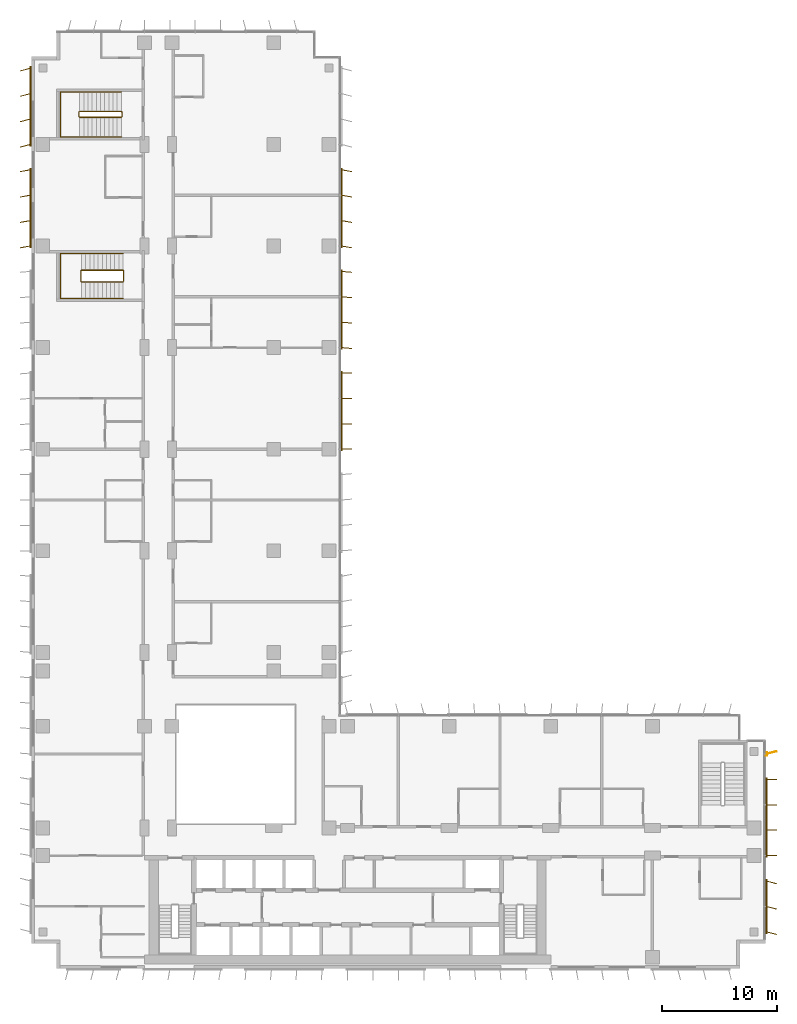
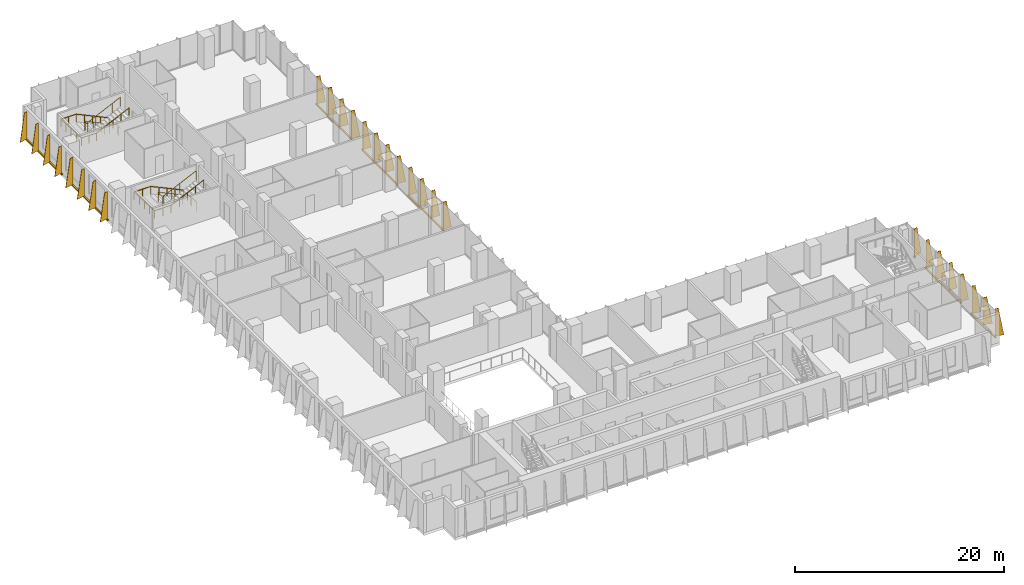
# One storey, part 21 of 22: 8 shading devices, 4 railings.
"""IFC4 building model written with IfcOpenShell, lengths in metres."""

from ifc_helpers import new_model, si_unit, direction, frame, origin, origin_2d, place, context, subcontext, project, spatial, polyline, rectangle, circle, outline, extrude, source, transform, mapped, material, layer, layer_set, type_object, element, save


model = new_model("IFC4")

# Units and contexts
model_context = context("Model", 3, precision=1e-05, world=origin(), true_north=direction((0.0, 1.0)))
body_context = subcontext(model_context, "Body", "Model", "MODEL_VIEW")
ifc_project = project(units=[si_unit("LENGTHUNIT", "METRE"), si_unit("AREAUNIT", "SQUARE_METRE"), si_unit("VOLUMEUNIT", "CUBIC_METRE"), si_unit("PLANEANGLEUNIT", "RADIAN"), si_unit("MASSUNIT", "GRAM", prefix="KILO")], contexts=[model_context])

# Site, building, storey
site_placement = place(None, origin())
site = spatial("IfcSite", under=ifc_project, at=site_placement, CompositionType="ELEMENT")
building_placement = place(site_placement, origin())
building = spatial("IfcBuilding", under=site, at=building_placement, Name="Kemantara Hotel Tower", CompositionType="ELEMENT")
storey_placement = place(building_placement, frame((0.0, 0.0, 122.199951171875)))
storey = spatial("IfcBuildingStorey", under=building, at=storey_placement, Name="L29", CompositionType="ELEMENT", Elevation=122.199951171875)

# Railings
ifc_material_1 = material(Name="Stainless steel balustrade", Category="steel")
railing_type_1 = type_object("IfcRailingType", Name="Stair guard 1100 mm", PredefinedType="GUARDRAIL", material=ifc_material_1)
railing_1_placement = place(storey_placement, frame((7.949951171875, 59.5, 3.699951171875)))
element("IfcRailing", 1, at=railing_1_placement, inside=storey, type_object=railing_type_1, Name="L29 ST4 stair guard 1", PredefinedType="GUARDRAIL", context=body_context, shape_type="SweptSolid", body=[
    extrude(circle(Radius=0.02392578125, at=origin_2d()), frame((0.0, 0.0, 1.076171875), z_axis=(-0.906018243939, 0.0, -0.423238634402), x_axis=(0.0, -1.0, 0.0)), (0.0, 0.0, 1.0), 3.973388671875),
    extrude(circle(Radius=0.02392578125, at=origin_2d()), frame((-3.599853515625, 0.0, -0.60546875), z_axis=(-0.274243871929, 0.274243871929, -0.92172696468), x_axis=(-0.707106781187, -0.707106781187, 0.0)), (0.0, 0.0, 1.0), 0.1826171875),
    extrude(circle(Radius=0.02392578125, at=origin_2d()), frame((-3.64990234375, 0.050048828125, -0.77392578125), z_axis=(0.0, 1.0, 0.0), x_axis=(-1.0, 0.0, 0.0)), (0.0, 0.0, 1.0), 0.89990234375),
    extrude(circle(Radius=0.02392578125, at=origin_2d()), frame((-3.64990234375, 0.949951171875, -0.77392578125), z_axis=(0.707106781187, 0.707106781187, 0.0), x_axis=(-0.707106781187, 0.707106781187, 0.0)), (0.0, 0.0, 1.0), 0.07080078125),
    extrude(circle(Radius=0.02392578125, at=origin_2d()), frame((-3.599853515625, 1.0, -0.77392578125), z_axis=(0.905994681025, 0.0, -0.423289071386), x_axis=(0.0, 1.0, 0.0)), (0.0, 0.0, 1.0), 3.973388671875),
    extrude(circle(Radius=0.02392578125, at=origin_2d()), frame((0.0, 1.0, -2.45556640625), z_axis=(0.274243871929, -0.274243871929, -0.92172696468), x_axis=(0.707106781187, 0.707106781187, 0.0)), (0.0, 0.0, 1.0), 0.1826171875),
    extrude(circle(Radius=0.02392578125, at=origin_2d()), frame((0.050048828125, 0.949951171875, -2.6240234375), z_axis=(0.0, -1.0, 0.0), x_axis=(1.0, 0.0, 0.0)), (0.0, 0.0, 1.0), 0.89990234375),
    extrude(circle(Radius=0.02099609375, at=origin_2d()), origin(), (0.0, 0.0, 1.0), 1.052001953125),
    extrude(circle(Radius=0.02099609375, at=origin_2d()), frame((-0.89990234375, 0.0, -0.42041015625)), (0.0, 0.0, 1.0), 1.052001953125),
    extrude(circle(Radius=0.02099609375, at=origin_2d()), frame((-1.7998046875, 0.0, -0.8408203125)), (0.0, 0.0, 1.0), 1.052001953125),
    extrude(circle(Radius=0.02099609375, at=origin_2d()), frame((-2.699951171875, 0.0, -1.26123046875)), (0.0, 0.0, 1.0), 1.052001953125),
    extrude(circle(Radius=0.02099609375, at=origin_2d()), frame((-3.599853515625, 0.0, -1.681640625)), (0.0, 0.0, 1.0), 1.052001953125),
    extrude(circle(Radius=0.02099609375, at=origin_2d()), frame((-3.64990234375, 0.050048828125, -1.849853515625)), (0.0, 0.0, 1.0), 1.052001953125),
    extrude(circle(Radius=0.02099609375, at=origin_2d()), frame((-3.64990234375, 0.949951171875, -1.849853515625)), (0.0, 0.0, 1.0), 1.052001953125),
    extrude(circle(Radius=0.02099609375, at=origin_2d()), frame((-3.599853515625, 1.0, -1.849853515625)), (0.0, 0.0, 1.0), 1.052001953125),
    extrude(circle(Radius=0.02099609375, at=origin_2d()), frame((-2.699951171875, 1.0, -2.270263671875)), (0.0, 0.0, 1.0), 1.052001953125),
    extrude(circle(Radius=0.02099609375, at=origin_2d()), frame((-1.7998046875, 1.0, -2.69091796875)), (0.0, 0.0, 1.0), 1.052001953125),
    extrude(circle(Radius=0.02099609375, at=origin_2d()), frame((-0.89990234375, 1.0, -3.111328125)), (0.0, 0.0, 1.0), 1.052001953125),
    extrude(circle(Radius=0.02099609375, at=origin_2d()), frame((0.0, 1.0, -3.53173828125)), (0.0, 0.0, 1.0), 1.052001953125),
    extrude(circle(Radius=0.02099609375, at=origin_2d()), frame((0.050048828125, 0.949951171875, -3.699951171875)), (0.0, 0.0, 1.0), 1.052001953125),
    extrude(circle(Radius=0.02099609375, at=origin_2d()), frame((0.050048828125, 0.050048828125, -3.699951171875)), (0.0, 0.0, 1.0), 1.052001953125),
])
railing_2_placement = place(storey_placement, frame((7.800048828125, 73.75, 3.699951171875)))
element("IfcRailing", 2, at=railing_2_placement, inside=storey, type_object=railing_type_1, Name="L29 ST6 stair guard 1", PredefinedType="GUARDRAIL", context=body_context, shape_type="SweptSolid", body=[
    extrude(circle(Radius=0.02392578125, at=origin_2d()), frame((0.0, 0.0, 1.076171875), z_axis=(-0.906029249863, 0.0, -0.423215073447), x_axis=(0.0, -1.0, 0.0)), (0.0, 0.0, 1.0), 3.973388671875),
    extrude(circle(Radius=0.02392578125, at=origin_2d()), frame((-3.60009765625, 0.0, -0.60546875), z_axis=(-0.274243871929, 0.274243871929, -0.92172696468), x_axis=(-0.707106781187, -0.707106781187, 0.0)), (0.0, 0.0, 1.0), 0.1826171875),
    extrude(circle(Radius=0.02392578125, at=origin_2d()), frame((-3.650146484375, 0.050048828125, -0.77392578125), z_axis=(0.0, 1.0, 0.0), x_axis=(-1.0, 0.0, 0.0)), (0.0, 0.0, 1.0), 0.39990234375),
    extrude(circle(Radius=0.02392578125, at=origin_2d()), frame((-3.650146484375, 0.449951171875, -0.77392578125), z_axis=(0.707106781187, 0.707106781187, 0.0), x_axis=(-0.707106781187, 0.707106781187, 0.0)), (0.0, 0.0, 1.0), 0.07080078125),
    extrude(circle(Radius=0.02392578125, at=origin_2d()), frame((-3.60009765625, 0.5, -0.77392578125), z_axis=(0.906005689286, 0.0, -0.423265508849), x_axis=(0.0, 1.0, 0.0)), (0.0, 0.0, 1.0), 3.9736328125),
    extrude(circle(Radius=0.02392578125, at=origin_2d()), frame((0.0, 0.5, -2.45556640625), z_axis=(0.274243871929, -0.274243871929, -0.92172696468), x_axis=(0.707106781187, 0.707106781187, 0.0)), (0.0, 0.0, 1.0), 0.1826171875),
    extrude(circle(Radius=0.02392578125, at=origin_2d()), frame((0.050048828125, 0.449951171875, -2.6240234375), z_axis=(0.0, -1.0, 0.0), x_axis=(1.0, 0.0, 0.0)), (0.0, 0.0, 1.0), 0.39990234375),
    extrude(circle(Radius=0.02099609375, at=origin_2d()), origin(), (0.0, 0.0, 1.0), 1.052001953125),
    extrude(circle(Radius=0.02099609375, at=origin_2d()), frame((-0.89990234375, 0.0, -0.42041015625)), (0.0, 0.0, 1.0), 1.052001953125),
    extrude(circle(Radius=0.02099609375, at=origin_2d()), frame((-1.800048828125, 0.0, -0.8408203125)), (0.0, 0.0, 1.0), 1.052001953125),
    extrude(circle(Radius=0.02099609375, at=origin_2d()), frame((-2.7001953125, 0.0, -1.26123046875)), (0.0, 0.0, 1.0), 1.052001953125),
    extrude(circle(Radius=0.02099609375, at=origin_2d()), frame((-3.60009765625, 0.0, -1.681640625)), (0.0, 0.0, 1.0), 1.052001953125),
    extrude(circle(Radius=0.02099609375, at=origin_2d()), frame((-3.650146484375, 0.050048828125, -1.849853515625)), (0.0, 0.0, 1.0), 1.052001953125),
    extrude(circle(Radius=0.02099609375, at=origin_2d()), frame((-3.650146484375, 0.449951171875, -1.849853515625)), (0.0, 0.0, 1.0), 1.052001953125),
    extrude(circle(Radius=0.02099609375, at=origin_2d()), frame((-3.60009765625, 0.5, -1.849853515625)), (0.0, 0.0, 1.0), 1.052001953125),
    extrude(circle(Radius=0.02099609375, at=origin_2d()), frame((-2.7001953125, 0.5, -2.270263671875)), (0.0, 0.0, 1.0), 1.052001953125),
    extrude(circle(Radius=0.02099609375, at=origin_2d()), frame((-1.800048828125, 0.5, -2.69091796875)), (0.0, 0.0, 1.0), 1.052001953125),
    extrude(circle(Radius=0.02099609375, at=origin_2d()), frame((-0.89990234375, 0.5, -3.111328125)), (0.0, 0.0, 1.0), 1.052001953125),
    extrude(circle(Radius=0.02099609375, at=origin_2d()), frame((0.0, 0.5, -3.53173828125)), (0.0, 0.0, 1.0), 1.052001953125),
    extrude(circle(Radius=0.02099609375, at=origin_2d()), frame((0.050048828125, 0.449951171875, -3.699951171875)), (0.0, 0.0, 1.0), 1.052001953125),
    extrude(circle(Radius=0.02099609375, at=origin_2d()), frame((0.050048828125, 0.050048828125, -3.699951171875)), (0.0, 0.0, 1.0), 1.052001953125),
])
railing_type_2 = type_object("IfcRailingType", Name="Stair handrail 900 mm", PredefinedType="HANDRAIL", material=ifc_material_1)
railing_3_placement = place(storey_placement, frame((7.949951171875, 61.949951171875, 0.168212890625)))
element("IfcRailing", 3, at=railing_3_placement, inside=storey, type_object=railing_type_2, Name="L29 ST4 stair handrail 1", PredefinedType="HANDRAIL", context=body_context, shape_type="SweptSolid", body=[
    extrude(circle(Radius=0.02392578125, at=origin_2d()), frame((0.0, 0.0, 0.8759765625), z_axis=(-0.905994681025, 0.0, 0.423289071386), x_axis=(0.0, -1.0, 0.0)), (0.0, 0.0, 1.0), 3.973388671875),
    extrude(circle(Radius=0.02392578125, at=origin_2d()), frame((-3.599853515625, 0.0, 2.5576171875), z_axis=(-1.0, 0.0, 0.0), x_axis=(0.0, -1.0, 0.0)), (0.0, 0.0, 1.0), 1.830078125),
    extrude(circle(Radius=0.02392578125, at=origin_2d()), frame((-5.429931640625, 0.0, 2.5576171875), z_axis=(0.0, -0.999071085748, 0.043092523981), x_axis=(1.0, 0.0, 0.0)), (0.0, 0.0, 1.0), 3.903564453125),
    extrude(circle(Radius=0.02392578125, at=origin_2d()), frame((-5.429931640625, -3.89990234375, 2.72607421875), z_axis=(1.0, 0.0, 0.0), x_axis=(0.0, 1.0, 0.0)), (0.0, 0.0, 1.0), 1.830078125),
    extrude(circle(Radius=0.02392578125, at=origin_2d()), frame((-3.599853515625, -3.89990234375, 2.72607421875), z_axis=(0.906018243939, 0.0, 0.423238634402), x_axis=(0.0, 1.0, 0.0)), (0.0, 0.0, 1.0), 3.973388671875),
    extrude(circle(Radius=0.02099609375, at=origin_2d()), origin(), (0.0, 0.0, 1.0), 0.851806640625),
    extrude(circle(Radius=0.02099609375, at=origin_2d()), frame((-0.89990234375, 0.0, 0.42041015625)), (0.0, 0.0, 1.0), 0.851806640625),
    extrude(circle(Radius=0.02099609375, at=origin_2d()), frame((-1.7998046875, 0.0, 0.8408203125)), (0.0, 0.0, 1.0), 0.851806640625),
    extrude(circle(Radius=0.02099609375, at=origin_2d()), frame((-2.699951171875, 0.0, 1.261474609375)), (0.0, 0.0, 1.0), 0.851806640625),
    extrude(circle(Radius=0.02099609375, at=origin_2d()), frame((-3.599853515625, 0.0, 1.681884765625)), (0.0, 0.0, 1.0), 0.851806640625),
    extrude(circle(Radius=0.02099609375, at=origin_2d()), frame((-4.514892578125, 0.0, 1.681884765625)), (0.0, 0.0, 1.0), 0.851806640625),
    extrude(circle(Radius=0.02099609375, at=origin_2d()), frame((-5.429931640625, 0.0, 1.681884765625)), (0.0, 0.0, 1.0), 0.851806640625),
    extrude(circle(Radius=0.02099609375, at=origin_2d()), frame((-5.429931640625, -0.97509765625, 1.723876953125)), (0.0, 0.0, 1.0), 0.851806640625),
    extrude(circle(Radius=0.02099609375, at=origin_2d()), frame((-5.429931640625, -1.949951171875, 1.76611328125)), (0.0, 0.0, 1.0), 0.851806640625),
    extrude(circle(Radius=0.02099609375, at=origin_2d()), frame((-5.429931640625, -2.9248046875, 1.80810546875)), (0.0, 0.0, 1.0), 0.851806640625),
    extrude(circle(Radius=0.02099609375, at=origin_2d()), frame((-5.429931640625, -3.89990234375, 1.85009765625)), (0.0, 0.0, 1.0), 0.851806640625),
    extrude(circle(Radius=0.02099609375, at=origin_2d()), frame((-4.514892578125, -3.89990234375, 1.85009765625)), (0.0, 0.0, 1.0), 0.851806640625),
    extrude(circle(Radius=0.02099609375, at=origin_2d()), frame((-3.599853515625, -3.89990234375, 1.85009765625)), (0.0, 0.0, 1.0), 0.851806640625),
    extrude(circle(Radius=0.02099609375, at=origin_2d()), frame((-2.699951171875, -3.89990234375, 2.2705078125)), (0.0, 0.0, 1.0), 0.851806640625),
    extrude(circle(Radius=0.02099609375, at=origin_2d()), frame((-1.7998046875, -3.89990234375, 2.69091796875)), (0.0, 0.0, 1.0), 0.851806640625),
    extrude(circle(Radius=0.02099609375, at=origin_2d()), frame((-0.89990234375, -3.89990234375, 3.111328125)), (0.0, 0.0, 1.0), 0.851806640625),
    extrude(circle(Radius=0.02099609375, at=origin_2d()), frame((0.0, -3.89990234375, 3.53173828125)), (0.0, 0.0, 1.0), 0.851806640625),
])
railing_4_placement = place(storey_placement, frame((7.800048828125, 75.949951171875, 0.168212890625)))
element("IfcRailing", 4, at=railing_4_placement, inside=storey, type_object=railing_type_2, Name="L29 ST6 stair handrail 1", PredefinedType="HANDRAIL", context=body_context, shape_type="SweptSolid", body=[
    extrude(circle(Radius=0.02392578125, at=origin_2d()), frame((0.0, 0.0, 0.8759765625), z_axis=(-0.906005689286, 0.0, 0.423265508849), x_axis=(0.0, -1.0, 0.0)), (0.0, 0.0, 1.0), 3.9736328125),
    extrude(circle(Radius=0.02392578125, at=origin_2d()), frame((-3.60009765625, 0.0, 2.5576171875), z_axis=(-1.0, 0.0, 0.0), x_axis=(0.0, -1.0, 0.0)), (0.0, 0.0, 1.0), 1.679931640625),
    extrude(circle(Radius=0.02392578125, at=origin_2d()), frame((-5.280029296875, 0.0, 2.5576171875), z_axis=(0.0, -0.999071085748, 0.043092523981), x_axis=(1.0, 0.0, 0.0)), (0.0, 0.0, 1.0), 3.903564453125),
    extrude(circle(Radius=0.02392578125, at=origin_2d()), frame((-5.280029296875, -3.89990234375, 2.72607421875), z_axis=(1.0, 0.0, 0.0), x_axis=(0.0, 1.0, 0.0)), (0.0, 0.0, 1.0), 1.679931640625),
    extrude(circle(Radius=0.02392578125, at=origin_2d()), frame((-3.60009765625, -3.89990234375, 2.72607421875), z_axis=(0.906029249863, 0.0, 0.423215073447), x_axis=(0.0, 1.0, 0.0)), (0.0, 0.0, 1.0), 3.973388671875),
    extrude(circle(Radius=0.02099609375, at=origin_2d()), origin(), (0.0, 0.0, 1.0), 0.851806640625),
    extrude(circle(Radius=0.02099609375, at=origin_2d()), frame((-0.89990234375, 0.0, 0.42041015625)), (0.0, 0.0, 1.0), 0.851806640625),
    extrude(circle(Radius=0.02099609375, at=origin_2d()), frame((-1.800048828125, 0.0, 0.8408203125)), (0.0, 0.0, 1.0), 0.851806640625),
    extrude(circle(Radius=0.02099609375, at=origin_2d()), frame((-2.7001953125, 0.0, 1.261474609375)), (0.0, 0.0, 1.0), 0.851806640625),
    extrude(circle(Radius=0.02099609375, at=origin_2d()), frame((-3.60009765625, 0.0, 1.681884765625)), (0.0, 0.0, 1.0), 0.851806640625),
    extrude(circle(Radius=0.02099609375, at=origin_2d()), frame((-4.43994140625, 0.0, 1.681884765625)), (0.0, 0.0, 1.0), 0.851806640625),
    extrude(circle(Radius=0.02099609375, at=origin_2d()), frame((-5.280029296875, 0.0, 1.681884765625)), (0.0, 0.0, 1.0), 0.851806640625),
    extrude(circle(Radius=0.02099609375, at=origin_2d()), frame((-5.280029296875, -0.97509765625, 1.723876953125)), (0.0, 0.0, 1.0), 0.851806640625),
    extrude(circle(Radius=0.02099609375, at=origin_2d()), frame((-5.280029296875, -1.949951171875, 1.76611328125)), (0.0, 0.0, 1.0), 0.851806640625),
    extrude(circle(Radius=0.02099609375, at=origin_2d()), frame((-5.280029296875, -2.9248046875, 1.80810546875)), (0.0, 0.0, 1.0), 0.851806640625),
    extrude(circle(Radius=0.02099609375, at=origin_2d()), frame((-5.280029296875, -3.89990234375, 1.85009765625)), (0.0, 0.0, 1.0), 0.851806640625),
    extrude(circle(Radius=0.02099609375, at=origin_2d()), frame((-4.43994140625, -3.89990234375, 1.85009765625)), (0.0, 0.0, 1.0), 0.851806640625),
    extrude(circle(Radius=0.02099609375, at=origin_2d()), frame((-3.60009765625, -3.89990234375, 1.85009765625)), (0.0, 0.0, 1.0), 0.851806640625),
    extrude(circle(Radius=0.02099609375, at=origin_2d()), frame((-2.7001953125, -3.89990234375, 2.2705078125)), (0.0, 0.0, 1.0), 0.851806640625),
    extrude(circle(Radius=0.02099609375, at=origin_2d()), frame((-1.800048828125, -3.89990234375, 2.69091796875)), (0.0, 0.0, 1.0), 0.851806640625),
    extrude(circle(Radius=0.02099609375, at=origin_2d()), frame((-0.89990234375, -3.89990234375, 3.111328125)), (0.0, 0.0, 1.0), 0.851806640625),
    extrude(circle(Radius=0.02099609375, at=origin_2d()), frame((0.0, -3.89990234375, 3.53173828125)), (0.0, 0.0, 1.0), 0.851806640625),
])

# Shading devices
ifc_material_2 = material(Name="Perforated aluminium plate 4 mm bronze anodised", Category="aluminium")
ifc_layer_1 = layer(ifc_material_2, 0.0400390625)
ifc_layer_set_1 = layer_set([ifc_layer_1], Name="Perforated aluminium plate 4 mm bronze anodised")
shading_device_type_1 = type_object("IfcShadingDeviceType", Name="SCREEN FIN CASSETTE, 3 BLADES AT -15.0 DEG, 3200 HIGH", PredefinedType="USERDEFINED", material=ifc_layer_set_1)
shared_shape_1 = source(origin(), body_context, "Body", "SweptSolid", [
    extrude(rectangle(XDim=4.699951171875, YDim=0.14990234375, at=origin_2d()), frame((2.199951171875, -0.074951171875, -0.14990234375), z_axis=(0.0, 0.0, 1.0), x_axis=(1.0, 0.0, 0.0)), (0.0, 0.0, 1.0), 0.14990234375),
    extrude(outline(polyline([(0.0, 0.0), (0.89990234375, 0.0), (0.35009765625, 3.199951171875), (0.0, 3.199951171875), (0.0, 0.0)])), frame((0.019287109375, -0.080078125, 0.0), z_axis=(-0.966437683387, 0.256901156343, 0.0), x_axis=(-0.256901156343, -0.966437683387, 0.0)), (0.0, 0.0, 1.0), 0.039794921875),
    extrude(outline(polyline([(0.0, 0.0), (0.89990234375, 0.0), (0.35009765625, 3.199951171875), (0.0, 3.199951171875), (0.0, 0.0)])), frame((2.21923828125, -0.080078125, 0.0), z_axis=(-0.966437683387, 0.256901156343, 0.0), x_axis=(-0.256901156343, -0.966437683387, 0.0)), (0.0, 0.0, 1.0), 0.039794921875),
    extrude(outline(polyline([(0.0, 0.0), (0.89990234375, 0.0), (0.35009765625, 3.199951171875), (0.0, 3.199951171875), (0.0, 0.0)])), frame((4.41943359375, -0.080078125, 0.0), z_axis=(-0.966837822169, 0.255391122837, 0.0), x_axis=(-0.255391122837, -0.966837822169, 0.0)), (0.0, 0.0, 1.0), 0.0400390625),
])
shading_device_1_placement = place(storey_placement, frame((63.60009765625, 3.199951171875, 0.10009765625), z_axis=(0.0, 0.0, 1.0), x_axis=(0.0, 1.0, 0.0)))
element("IfcShadingDevice", 5, at=shading_device_1_placement, inside=storey, type_object=shading_device_type_1, Name="SCREEN FIN CASSETTE L29 T2-R10-1", ObjectType="SCREEN FIN", PredefinedType="USERDEFINED", context=body_context, shape_type="MappedRepresentation", body=[
    mapped(shared_shape_1, transform((0.0, 0.0, 0.0))),
])
ifc_layer_2 = layer(ifc_material_2, 0.0400390625)
ifc_layer_set_2 = layer_set([ifc_layer_2], Name="Perforated aluminium plate 4 mm bronze anodised")
shading_device_type_2 = type_object("IfcShadingDeviceType", Name="SCREEN FIN CASSETTE, 4 BLADES AT -10.0 DEG, 3200 HIGH", PredefinedType="USERDEFINED", material=ifc_layer_set_2)
shared_shape_2 = source(origin(), body_context, "Body", "SweptSolid", [
    extrude(rectangle(XDim=6.89990234375, YDim=0.14990234375, at=origin_2d()), frame((3.300048828125, -0.074951171875, -0.14990234375), z_axis=(0.0, 0.0, 1.0), x_axis=(1.0, 0.0, 0.0)), (0.0, 0.0, 1.0), 0.14990234375),
    extrude(outline(polyline([(0.0, 0.0), (0.89990234375, 0.0), (0.35009765625, 3.199951171875), (0.0, 3.199951171875), (0.0, 0.0)])), frame((0.019775390625, -0.078369140625, 0.0), z_axis=(-0.985389793052, 0.170314285219, 0.0), x_axis=(-0.170314285219, -0.985389793052, 0.0)), (0.0, 0.0, 1.0), 0.0400390625),
    extrude(outline(polyline([(0.0, 0.0), (0.89990234375, 0.0), (0.35009765625, 3.199951171875), (0.0, 3.199951171875), (0.0, 0.0)])), frame((2.2197265625, -0.078369140625, 0.0), z_axis=(-0.98521175482, 0.171341174751, 0.0), x_axis=(-0.171341174751, -0.98521175482, 0.0)), (0.0, 0.0, 1.0), 0.039794921875),
    extrude(outline(polyline([(0.0, 0.0), (0.89990234375, 0.0), (0.35009765625, 3.199951171875), (0.0, 3.199951171875), (0.0, 0.0)])), frame((4.419677734375, -0.078369140625, 0.0), z_axis=(-0.98521175482, 0.171341174751, 0.0), x_axis=(-0.171341174751, -0.98521175482, 0.0)), (0.0, 0.0, 1.0), 0.039794921875),
    extrude(outline(polyline([(0.0, 0.0), (0.89990234375, 0.0), (0.35009765625, 3.199951171875), (0.0, 3.199951171875), (0.0, 0.0)])), frame((6.61962890625, -0.078369140625, 0.0), z_axis=(-0.98521175482, 0.171341174751, 0.0), x_axis=(-0.171341174751, -0.98521175482, 0.0)), (0.0, 0.0, 1.0), 0.039794921875),
])
shading_device_2_placement = place(storey_placement, frame((26.800048828125, 62.60009765625, 0.10009765625), z_axis=(0.0, 0.0, 1.0), x_axis=(0.0, 1.0, 0.0)))
element("IfcShadingDevice", 6, at=shading_device_2_placement, inside=storey, type_object=shading_device_type_2, Name="SCREEN FIN CASSETTE L29 T2-R14-6", ObjectType="SCREEN FIN", PredefinedType="USERDEFINED", context=body_context, shape_type="MappedRepresentation", body=[
    mapped(shared_shape_2, transform((0.0, 0.0, 0.0))),
])
ifc_layer_3 = layer(ifc_material_2, 0.0400390625)
ifc_layer_set_3 = layer_set([ifc_layer_3], Name="Perforated aluminium plate 4 mm bronze anodised")
shading_device_type_3 = type_object("IfcShadingDeviceType", Name="SCREEN FIN CASSETTE, 4 BLADES AT -5.0 DEG, 3200 HIGH", PredefinedType="USERDEFINED", material=ifc_layer_set_3)
shared_shape_3 = source(origin(), body_context, "Body", "SweptSolid", [
    extrude(rectangle(XDim=6.89990234375, YDim=0.14990234375, at=origin_2d()), frame((3.300048828125, -0.074951171875, -0.14990234375), z_axis=(0.0, 0.0, 1.0), x_axis=(1.0, 0.0, 0.0)), (0.0, 0.0, 1.0), 0.14990234375),
    extrude(outline(polyline([(0.0, 0.0), (0.89990234375, 0.0), (0.35009765625, 3.199951171875), (0.0, 3.199951171875), (0.0, 0.0)])), frame((0.02001953125, -0.07666015625, 0.0), z_axis=(-0.996376129781, 0.085056498884, 0.0), x_axis=(-0.085056498884, -0.996376129781, 0.0)), (0.0, 0.0, 1.0), 0.040283203125),
    extrude(outline(polyline([(0.0, 0.0), (0.89990234375, 0.0), (0.35009765625, 3.199951171875), (0.0, 3.199951171875), (0.0, 0.0)])), frame((2.219970703125, -0.07666015625, 0.0), z_axis=(-0.996331773833, 0.085574508182, 0.0), x_axis=(-0.085574508182, -0.996331773833, 0.0)), (0.0, 0.0, 1.0), 0.0400390625),
    extrude(outline(polyline([(0.0, 0.0), (0.89990234375, 0.0), (0.35009765625, 3.199951171875), (0.0, 3.199951171875), (0.0, 0.0)])), frame((4.419921875, -0.07666015625, 0.0), z_axis=(-0.996331773833, 0.085574508182, 0.0), x_axis=(-0.085574508182, -0.996331773833, 0.0)), (0.0, 0.0, 1.0), 0.0400390625),
    extrude(outline(polyline([(0.0, 0.0), (0.89990234375, 0.0), (0.35009765625, 3.199951171875), (0.0, 3.199951171875), (0.0, 0.0)])), frame((6.619873046875, -0.07666015625, 0.0), z_axis=(-0.996331773833, 0.085574508182, 0.0), x_axis=(-0.085574508182, -0.996331773833, 0.0)), (0.0, 0.0, 1.0), 0.0400390625),
])
shading_device_3_placement = place(storey_placement, frame((26.800048828125, 53.800048828125, 0.10009765625), z_axis=(0.0, 0.0, 1.0), x_axis=(0.0, 1.0, 0.0)))
element("IfcShadingDevice", 7, at=shading_device_3_placement, inside=storey, type_object=shading_device_type_3, Name="SCREEN FIN CASSETTE L29 T2-R14-5", ObjectType="SCREEN FIN", PredefinedType="USERDEFINED", context=body_context, shape_type="MappedRepresentation", body=[
    mapped(shared_shape_3, transform((0.0, 0.0, 0.0))),
])
ifc_layer_4 = layer(ifc_material_2, 0.0400390625)
ifc_layer_set_4 = layer_set([ifc_layer_4], Name="Perforated aluminium plate 4 mm bronze anodised")
shading_device_type_4 = type_object("IfcShadingDeviceType", Name="SCREEN FIN CASSETTE, 4 BLADES AT +0.0 DEG, 3200 HIGH", PredefinedType="USERDEFINED", material=ifc_layer_set_4)
shared_shape_4 = source(origin(), body_context, "Body", "SweptSolid", [
    extrude(rectangle(XDim=6.89990234375, YDim=0.14990234375, at=origin_2d()), frame((3.300048828125, -0.074951171875, -0.14990234375), z_axis=(0.0, 0.0, 1.0), x_axis=(1.0, 0.0, 0.0)), (0.0, 0.0, 1.0), 0.14990234375),
    extrude(outline(polyline([(0.0, 0.0), (0.89990234375, 0.0), (0.35009765625, 3.199951171875), (0.0, 3.199951171875), (0.0, 0.0)])), frame((0.02001953125, -0.074951171875, 0.0), z_axis=(-1.0, 0.0, 0.0), x_axis=(0.0, -1.0, 0.0)), (0.0, 0.0, 1.0), 0.0400390625),
    extrude(outline(polyline([(0.0, 0.0), (0.89990234375, 0.0), (0.35009765625, 3.199951171875), (0.0, 3.199951171875), (0.0, 0.0)])), frame((2.219970703125, -0.074951171875, 0.0), z_axis=(-1.0, 0.0, 0.0), x_axis=(0.0, -1.0, 0.0)), (0.0, 0.0, 1.0), 0.0400390625),
    extrude(outline(polyline([(0.0, 0.0), (0.89990234375, 0.0), (0.35009765625, 3.199951171875), (0.0, 3.199951171875), (0.0, 0.0)])), frame((4.419921875, -0.074951171875, 0.0), z_axis=(-1.0, 0.0, 0.0), x_axis=(0.0, -1.0, 0.0)), (0.0, 0.0, 1.0), 0.0400390625),
    extrude(outline(polyline([(0.0, 0.0), (0.89990234375, 0.0), (0.35009765625, 3.199951171875), (0.0, 3.199951171875), (0.0, 0.0)])), frame((6.6201171875, -0.074951171875, 0.0), z_axis=(-1.0, 0.0, 0.0), x_axis=(0.0, -1.0, 0.0)), (0.0, 0.0, 1.0), 0.0400390625),
])
for number, where, z_axis, x_axis, name in (
    (8, (63.60009765625, 9.800048828125, 0.10009765625), (0.0, 0.0, 1.0), (0.0, 1.0, 0.0), "SCREEN FIN CASSETTE L29 T2-R10-2"),
    (9, (26.800048828125, 45.0, 0.10009765625), (0.0, 0.0, 1.0), (0.0, 1.0, 0.0), "SCREEN FIN CASSETTE L29 T2-R14-4"),
):
    element("IfcShadingDevice", number, at=place(storey_placement, frame(where, z_axis=z_axis, x_axis=x_axis)), inside=storey, type_object=shading_device_type_4, Name=name, ObjectType="SCREEN FIN", PredefinedType="USERDEFINED", context=body_context, shape_type="MappedRepresentation", body=[
        mapped(shared_shape_4, transform((0.0, 0.0, 0.0))),
    ])
ifc_layer_5 = layer(ifc_material_2, 0.0400390625)
ifc_layer_set_5 = layer_set([ifc_layer_5], Name="Perforated aluminium plate 4 mm bronze anodised")
shading_device_type_5 = type_object("IfcShadingDeviceType", Name="SCREEN FIN CASSETTE, 4 BLADES AT +10.0 DEG, 3200 HIGH", PredefinedType="USERDEFINED", material=ifc_layer_set_5)
shared_shape_5 = source(origin(), body_context, "Body", "SweptSolid", [
    extrude(rectangle(XDim=6.89990234375, YDim=0.14990234375, at=origin_2d()), frame((3.300048828125, -0.074951171875, -0.14990234375), z_axis=(0.0, 0.0, 1.0), x_axis=(1.0, 0.0, 0.0)), (0.0, 0.0, 1.0), 0.14990234375),
    extrude(outline(polyline([(0.0, 0.0), (0.89990234375, 0.0), (0.35009765625, 3.199951171875), (0.0, 3.199951171875), (0.0, 0.0)])), frame((0.019775390625, -0.071533203125, 0.0), z_axis=(-0.985389793052, -0.170314285219, 0.0), x_axis=(0.170314285219, -0.985389793052, 0.0)), (0.0, 0.0, 1.0), 0.0400390625),
    extrude(outline(polyline([(0.0, 0.0), (0.89990234375, 0.0), (0.35009765625, 3.199951171875), (0.0, 3.199951171875), (0.0, 0.0)])), frame((2.2197265625, -0.071533203125, 0.0), z_axis=(-0.98521175482, -0.171341174751, 0.0), x_axis=(0.171341174751, -0.98521175482, 0.0)), (0.0, 0.0, 1.0), 0.039794921875),
    extrude(outline(polyline([(0.0, 0.0), (0.89990234375, 0.0), (0.35009765625, 3.199951171875), (0.0, 3.199951171875), (0.0, 0.0)])), frame((4.419677734375, -0.071533203125, 0.0), z_axis=(-0.98521175482, -0.171341174751, 0.0), x_axis=(0.171341174751, -0.98521175482, 0.0)), (0.0, 0.0, 1.0), 0.039794921875),
    extrude(outline(polyline([(0.0, 0.0), (0.89990234375, 0.0), (0.35009765625, 3.199951171875), (0.0, 3.199951171875), (0.0, 0.0)])), frame((6.61962890625, -0.071533203125, 0.0), z_axis=(-0.98521175482, -0.171341174751, 0.0), x_axis=(0.171341174751, -0.98521175482, 0.0)), (0.0, 0.0, 1.0), 0.039794921875),
])
shading_device_4_placement = place(storey_placement, frame((0.0, 69.199951171875, 0.10009765625), z_axis=(0.0, 0.0, 1.0), x_axis=(0.0, -1.0, 0.0)))
element("IfcShadingDevice", 10, at=shading_device_4_placement, inside=storey, type_object=shading_device_type_5, Name="SCREEN FIN CASSETTE L29 T2-R04-2", ObjectType="SCREEN FIN", PredefinedType="USERDEFINED", context=body_context, shape_type="MappedRepresentation", body=[
    mapped(shared_shape_5, transform((0.0, 0.0, 0.0))),
])
ifc_layer_6 = layer(ifc_material_2, 0.0400390625)
ifc_layer_set_6 = layer_set([ifc_layer_6], Name="Perforated aluminium plate 4 mm bronze anodised")
shading_device_type_6 = type_object("IfcShadingDeviceType", Name="SCREEN FIN CASSETTE, 4 BLADES AT +15.0 DEG, 3200 HIGH", PredefinedType="USERDEFINED", material=ifc_layer_set_6)
shared_shape_6 = source(origin(), body_context, "Body", "SweptSolid", [
    extrude(rectangle(XDim=6.89990234375, YDim=0.14990234375, at=origin_2d()), frame((3.300048828125, -0.074951171875, -0.14990234375), z_axis=(0.0, 0.0, 1.0), x_axis=(1.0, 0.0, 0.0)), (0.0, 0.0, 1.0), 0.14990234375),
    extrude(outline(polyline([(0.0, 0.0), (0.89990234375, 0.0), (0.35009765625, 3.199951171875), (0.0, 3.199951171875), (0.0, 0.0)])), frame((0.019287109375, -0.06982421875, 0.0), z_axis=(-0.966437683387, -0.256901156343, 0.0), x_axis=(0.256901156343, -0.966437683387, 0.0)), (0.0, 0.0, 1.0), 0.039794921875),
    extrude(outline(polyline([(0.0, 0.0), (0.89990234375, 0.0), (0.35009765625, 3.199951171875), (0.0, 3.199951171875), (0.0, 0.0)])), frame((2.21923828125, -0.06982421875, 0.0), z_axis=(-0.966437683387, -0.256901156343, 0.0), x_axis=(0.256901156343, -0.966437683387, 0.0)), (0.0, 0.0, 1.0), 0.039794921875),
    extrude(outline(polyline([(0.0, 0.0), (0.89990234375, 0.0), (0.35009765625, 3.199951171875), (0.0, 3.199951171875), (0.0, 0.0)])), frame((4.41943359375, -0.06982421875, 0.0), z_axis=(-0.966837822169, -0.255391122837, 0.0), x_axis=(0.255391122837, -0.966837822169, 0.0)), (0.0, 0.0, 1.0), 0.0400390625),
    extrude(outline(polyline([(0.0, 0.0), (0.89990234375, 0.0), (0.35009765625, 3.199951171875), (0.0, 3.199951171875), (0.0, 0.0)])), frame((6.619384765625, -0.06982421875, 0.0), z_axis=(-0.966837822169, -0.255391122837, 0.0), x_axis=(0.255391122837, -0.966837822169, 0.0)), (0.0, 0.0, 1.0), 0.0400390625),
])
shading_device_5_placement = place(storey_placement, frame((0.0, 78.0, 0.10009765625), z_axis=(0.0, 0.0, 1.0), x_axis=(0.0, -1.0, 0.0)))
element("IfcShadingDevice", 11, at=shading_device_5_placement, inside=storey, type_object=shading_device_type_6, Name="SCREEN FIN CASSETTE L29 T2-R04-1", ObjectType="SCREEN FIN", PredefinedType="USERDEFINED", context=body_context, shape_type="MappedRepresentation", body=[
    mapped(shared_shape_6, transform((0.0, 0.0, 0.0))),
])
ifc_layer_7 = layer(ifc_material_2, 0.0400390625)
ifc_layer_set_7 = layer_set([ifc_layer_7], Name="Perforated aluminium plate 4 mm bronze anodised")
shading_device_type_7 = type_object("IfcShadingDeviceType", Name="SCREEN FIN CASSETTE, 1 BLADE AT +15.0 DEG, 3200 HIGH", PredefinedType="USERDEFINED", material=ifc_layer_set_7)
shared_shape_7 = source(origin(), body_context, "Body", "SweptSolid", [
    extrude(rectangle(XDim=0.300048828125, YDim=0.14990234375, at=origin_2d()), frame((0.0, -0.074951171875, -0.14990234375), z_axis=(0.0, 0.0, 1.0), x_axis=(1.0, 0.0, 0.0)), (0.0, 0.0, 1.0), 0.14990234375),
    extrude(outline(polyline([(0.0, 0.0), (0.89990234375, 0.0), (0.35009765625, 3.199951171875), (0.0, 3.199951171875), (0.0, 0.0)])), frame((0.019287109375, -0.06982421875, 0.0), z_axis=(-0.966437683387, -0.256901156343, 0.0), x_axis=(0.256901156343, -0.966437683387, 0.0)), (0.0, 0.0, 1.0), 0.039794921875),
])
shading_device_6_placement = place(storey_placement, frame((63.60009765625, 18.60009765625, 0.10009765625), z_axis=(0.0, 0.0, 1.0), x_axis=(0.0, 1.0, 0.0)))
element("IfcShadingDevice", 12, at=shading_device_6_placement, inside=storey, type_object=shading_device_type_7, Name="SCREEN FIN CASSETTE L29 T2-R10-3", ObjectType="SCREEN FIN", PredefinedType="USERDEFINED", context=body_context, shape_type="MappedRepresentation", body=[
    mapped(shared_shape_7, transform((0.0, 0.0, 0.0))),
])

save(model, "model.ifc")
